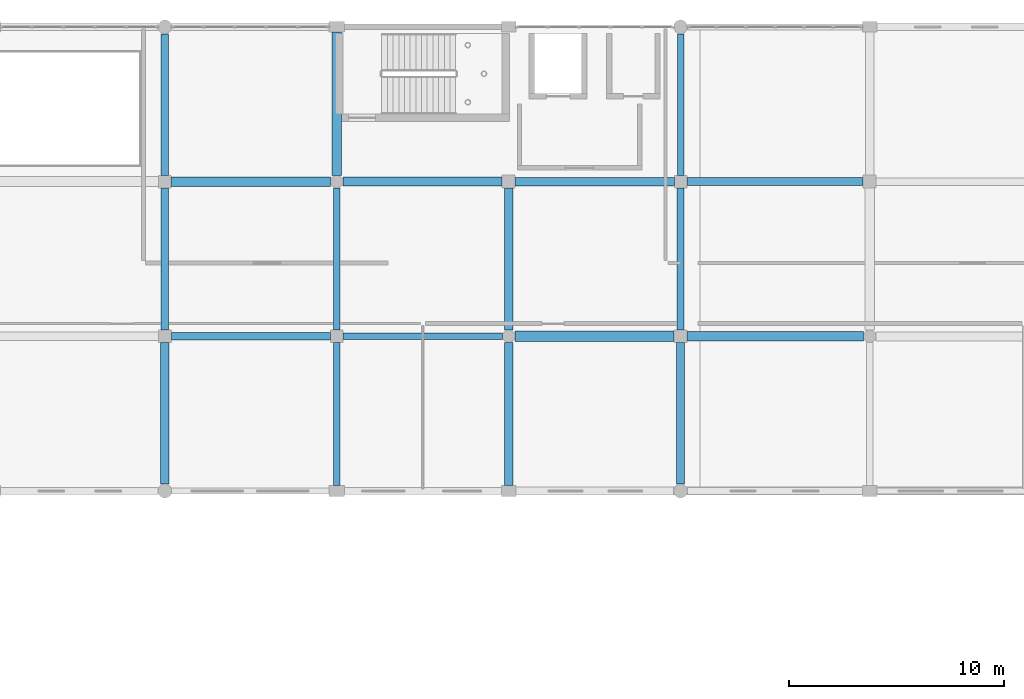
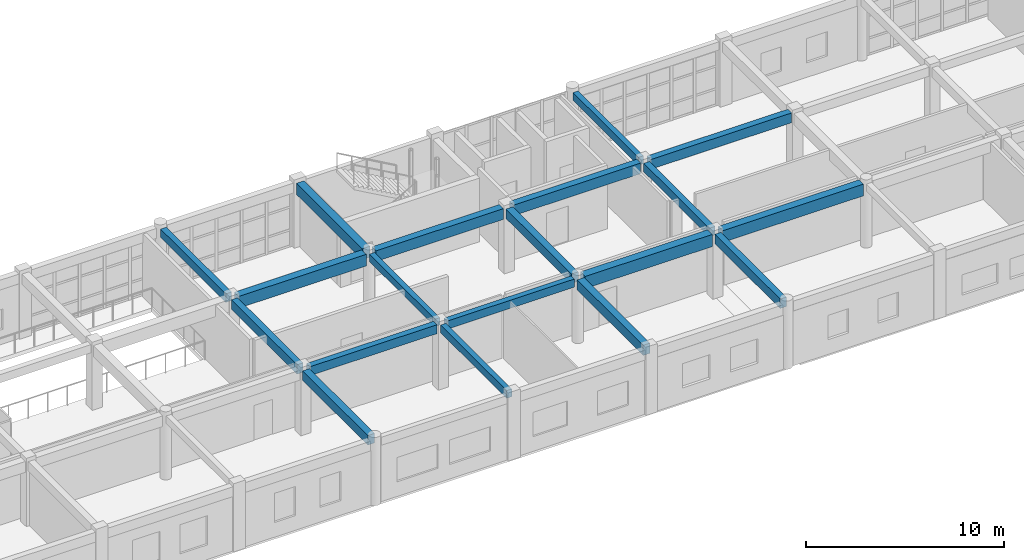
# One storey, part 13 of 53: 19 beams.
"""IFC4 building model written with IfcOpenShell, lengths in metres."""

from ifc_helpers import new_model, si_unit, direction, frame, origin, origin_2d, place, context, subcontext, project, spatial, rectangle, extrude, material, material_profile, profile_set, type_object, element, save


model = new_model("IFC4")

# Units and contexts
model_context = context("Model", 3, precision=1e-05, world=origin(), true_north=direction((0.0, 1.0)))
body_context = subcontext(model_context, "Body", "Model", "MODEL_VIEW")
ifc_project = project(units=[si_unit("LENGTHUNIT", "METRE"), si_unit("AREAUNIT", "SQUARE_METRE"), si_unit("VOLUMEUNIT", "CUBIC_METRE"), si_unit("PLANEANGLEUNIT", "RADIAN"), si_unit("MASSUNIT", "GRAM", prefix="KILO")], contexts=[model_context])

# Site, building, storey
site_placement = place(None, origin())
site = spatial("IfcSite", under=ifc_project, at=site_placement, CompositionType="ELEMENT")
building_placement = place(site_placement, origin())
building = spatial("IfcBuilding", under=site, at=building_placement, Name="Kharva Crest Polytechnic", CompositionType="ELEMENT")
storey_placement = place(building_placement, frame((0.0, 0.0, 17.39990234375)))
storey = spatial("IfcBuildingStorey", under=building, at=storey_placement, Name="L04", CompositionType="ELEMENT", Elevation=17.39990234375)

# Beams
ifc_material = material(Name="Concrete C35/45", Category="concrete")
ifc_material_profile_1 = material_profile(ifc_material, rectangle(XDim=0.300048828125, YDim=0.449951171875, at=origin_2d()), Name="RECT 300 X 450")
ifc_profile_set_1 = profile_set([ifc_material_profile_1], Name="Concrete C35/45")
beam_type_1 = type_object("IfcBeamType", Name="BM-RC-300X450", PredefinedType="BEAM", material=ifc_profile_set_1)
beam_1_placement = place(storey_placement, frame((104.0, 107.889892578125, 3.7451171875), z_axis=(0.0, 1.0, 0.0), x_axis=(-1.0, 0.0, 0.0)))
element("IfcBeam", 1, at=beam_1_placement, inside=storey, type_object=beam_type_1, Name="L04 Girder 14/Q-R", PredefinedType="BEAM", context=body_context, shape_type="SweptSolid", body=[
    extrude(rectangle(XDim=0.300048828125, YDim=0.449951171875, at=origin_2d()), origin(), (0.0, 0.0, 1.0), 6.6201171875),
])
ifc_material_profile_2 = material_profile(ifc_material, rectangle(XDim=0.300048828125, YDim=0.47998046875, at=origin_2d()), Name="RECT 300 X 480")
ifc_profile_set_2 = profile_set([ifc_material_profile_2], Name="Concrete C35/45")
beam_type_2 = type_object("IfcBeamType", Name="BM-RC-300X480", PredefinedType="BEAM", material=ifc_profile_set_2)
beam_2_placement = place(storey_placement, frame((104.0, 100.64990234375, 3.72998046875), z_axis=(0.0, 1.0, 0.0), x_axis=(-1.0, 0.0, 0.0)))
element("IfcBeam", 2, at=beam_2_placement, inside=storey, type_object=beam_type_2, Name="L04 Girder 14/P-Q", PredefinedType="BEAM", context=body_context, shape_type="SweptSolid", body=[
    extrude(rectangle(XDim=0.300048828125, YDim=0.47998046875, at=origin_2d()), origin(), (0.0, 0.0, 1.0), 6.66015625),
])
beam_3_placement = place(storey_placement, frame((120.0, 115.090087890625, 3.72998046875), z_axis=(0.0, 1.0, 0.0), x_axis=(-1.0, 0.0, 0.0)))
element("IfcBeam", 3, at=beam_3_placement, inside=storey, type_object=beam_type_2, Name="L04 Girder 16/R-S", PredefinedType="BEAM", context=body_context, shape_type="SweptSolid", body=[
    extrude(rectangle(XDim=0.300048828125, YDim=0.47998046875, at=origin_2d()), origin(), (0.0, 0.0, 1.0), 6.58984375),
])
ifc_material_profile_3 = material_profile(ifc_material, rectangle(XDim=0.320068359375, YDim=0.5, at=origin_2d()), Name="RECT 320 X 500")
ifc_profile_set_3 = profile_set([ifc_material_profile_3], Name="Concrete C35/45")
beam_type_3 = type_object("IfcBeamType", Name="BM-RC-320X500", PredefinedType="BEAM", material=ifc_profile_set_3)
beam_4_placement = place(storey_placement, frame((104.2900390625, 107.60009765625, 3.72021484375), z_axis=(1.0, 0.0, 0.0), x_axis=(0.0, 1.0, 0.0)))
element("IfcBeam", 4, at=beam_4_placement, inside=storey, type_object=beam_type_3, Name="L04 Beam Q/14-15", PredefinedType="BEAM", context=body_context, shape_type="SweptSolid", body=[
    extrude(rectangle(XDim=0.320068359375, YDim=0.5, at=origin_2d()), origin(), (0.0, 0.0, 1.0), 7.419921875),
])
ifc_material_profile_4 = material_profile(ifc_material, rectangle(XDim=0.340087890625, YDim=0.52001953125, at=origin_2d()), Name="RECT 340 X 520")
ifc_profile_set_4 = profile_set([ifc_material_profile_4], Name="Concrete C35/45")
beam_type_4 = type_object("IfcBeamType", Name="BM-RC-340X520", PredefinedType="BEAM", material=ifc_profile_set_4)
beam_5_placement = place(storey_placement, frame((96.0, 115.090087890625, 3.710205078125), z_axis=(0.0, 1.0, 0.0), x_axis=(-1.0, 0.0, 0.0)))
element("IfcBeam", 5, at=beam_5_placement, inside=storey, type_object=beam_type_4, Name="L04 Girder 13/R-S", PredefinedType="BEAM", context=body_context, shape_type="SweptSolid", body=[
    extrude(rectangle(XDim=0.340087890625, YDim=0.52001953125, at=origin_2d()), origin(), (0.0, 0.0, 1.0), 6.58984375),
])
beam_6_placement = place(storey_placement, frame((120.0, 107.89990234375, 3.710205078125), z_axis=(0.0, 1.0, 0.0), x_axis=(-1.0, 0.0, 0.0)))
element("IfcBeam", 6, at=beam_6_placement, inside=storey, type_object=beam_type_4, Name="L04 Girder 16/Q-R", PredefinedType="BEAM", context=body_context, shape_type="SweptSolid", body=[
    extrude(rectangle(XDim=0.340087890625, YDim=0.52001953125, at=origin_2d()), origin(), (0.0, 0.0, 1.0), 6.610107421875),
])
ifc_material_profile_5 = material_profile(ifc_material, rectangle(XDim=0.35009765625, YDim=0.550048828125, at=origin_2d()), Name="RECT 350 X 550")
ifc_profile_set_5 = profile_set([ifc_material_profile_5], Name="Concrete C35/45")
beam_type_5 = type_object("IfcBeamType", Name="BM-RC-350X550", PredefinedType="BEAM", material=ifc_profile_set_5)
beam_7_placement = place(storey_placement, frame((96.300048828125, 107.60009765625, 3.695068359375), z_axis=(1.0, 0.0, 0.0), x_axis=(0.0, 1.0, 0.0)))
element("IfcBeam", 7, at=beam_7_placement, inside=storey, type_object=beam_type_5, Name="L04 Beam Q/13-14", PredefinedType="BEAM", context=body_context, shape_type="SweptSolid", body=[
    extrude(rectangle(XDim=0.35009765625, YDim=0.550048828125, at=origin_2d()), origin(), (0.0, 0.0, 1.0), 7.409912109375),
])
ifc_material_profile_6 = material_profile(ifc_material, rectangle(XDim=0.360107421875, YDim=0.580078125, at=origin_2d()), Name="RECT 360 X 580")
ifc_profile_set_6 = profile_set([ifc_material_profile_6], Name="Concrete C35/45")
beam_type_6 = type_object("IfcBeamType", Name="BM-RC-360X580", PredefinedType="BEAM", material=ifc_profile_set_6)
beam_8_placement = place(storey_placement, frame((96.0, 107.89990234375, 3.68017578125), z_axis=(0.0, 1.0, 0.0), x_axis=(-1.0, 0.0, 0.0)))
element("IfcBeam", 8, at=beam_8_placement, inside=storey, type_object=beam_type_6, Name="L04 Girder 13/Q-R", PredefinedType="BEAM", context=body_context, shape_type="SweptSolid", body=[
    extrude(rectangle(XDim=0.360107421875, YDim=0.580078125, at=origin_2d()), origin(), (0.0, 0.0, 1.0), 6.610107421875),
])
beam_9_placement = place(storey_placement, frame((120.0, 100.719970703125, 3.68017578125), z_axis=(0.0, 1.0, 0.0), x_axis=(-1.0, 0.0, 0.0)))
element("IfcBeam", 9, at=beam_9_placement, inside=storey, type_object=beam_type_6, Name="L04 Girder 16/P-Q", PredefinedType="BEAM", context=body_context, shape_type="SweptSolid", body=[
    extrude(rectangle(XDim=0.360107421875, YDim=0.580078125, at=origin_2d()), origin(), (0.0, 0.0, 1.0), 6.580078125),
])
ifc_material_profile_7 = material_profile(ifc_material, rectangle(XDim=0.3798828125, YDim=0.60009765625, at=origin_2d()), Name="RECT 380 X 600")
ifc_profile_set_7 = profile_set([ifc_material_profile_7], Name="Concrete C35/45")
beam_type_7 = type_object("IfcBeamType", Name="BM-RC-380X600", PredefinedType="BEAM", material=ifc_profile_set_7)
beam_10_placement = place(storey_placement, frame((120.2900390625, 114.800048828125, 3.670166015625), z_axis=(1.0, 0.0, 0.0), x_axis=(0.0, 1.0, 0.0)))
element("IfcBeam", 10, at=beam_10_placement, inside=storey, type_object=beam_type_7, Name="L04 Beam R/16-17", PredefinedType="BEAM", context=body_context, shape_type="SweptSolid", body=[
    extrude(rectangle(XDim=0.3798828125, YDim=0.60009765625, at=origin_2d()), origin(), (0.0, 0.0, 1.0), 8.2099609375),
])
ifc_material_profile_8 = material_profile(ifc_material, rectangle(XDim=0.39990234375, YDim=0.580078125, at=origin_2d()), Name="RECT 400 X 580")
ifc_profile_set_8 = profile_set([ifc_material_profile_8], Name="Concrete C35/45")
beam_type_8 = type_object("IfcBeamType", Name="BM-RC-400X580", PredefinedType="BEAM", material=ifc_profile_set_8)
beam_11_placement = place(storey_placement, frame((96.0, 100.719970703125, 3.68017578125), z_axis=(0.0, 1.0, 0.0), x_axis=(-1.0, 0.0, 0.0)))
element("IfcBeam", 11, at=beam_11_placement, inside=storey, type_object=beam_type_8, Name="L04 Girder 13/P-Q", PredefinedType="BEAM", context=body_context, shape_type="SweptSolid", body=[
    extrude(rectangle(XDim=0.39990234375, YDim=0.580078125, at=origin_2d()), origin(), (0.0, 0.0, 1.0), 6.580078125),
])
beam_12_placement = place(storey_placement, frame((112.0, 107.889892578125, 3.68017578125), z_axis=(0.0, 1.0, 0.0), x_axis=(-1.0, 0.0, 0.0)))
element("IfcBeam", 12, at=beam_12_placement, inside=storey, type_object=beam_type_8, Name="L04 Girder 15/Q-R", PredefinedType="BEAM", context=body_context, shape_type="SweptSolid", body=[
    extrude(rectangle(XDim=0.39990234375, YDim=0.580078125, at=origin_2d()), origin(), (0.0, 0.0, 1.0), 6.610107421875),
])
ifc_material_profile_9 = material_profile(ifc_material, rectangle(XDim=0.39990234375, YDim=0.6201171875, at=origin_2d()), Name="RECT 400 X 620")
ifc_profile_set_9 = profile_set([ifc_material_profile_9], Name="Concrete C35/45")
beam_type_9 = type_object("IfcBeamType", Name="BM-RC-400X620", PredefinedType="BEAM", material=ifc_profile_set_9)
beam_13_placement = place(storey_placement, frame((112.0, 100.64990234375, 3.66015625), z_axis=(0.0, 1.0, 0.0), x_axis=(-1.0, 0.0, 0.0)))
element("IfcBeam", 13, at=beam_13_placement, inside=storey, type_object=beam_type_9, Name="L04 Girder 15/P-Q", PredefinedType="BEAM", context=body_context, shape_type="SweptSolid", body=[
    extrude(rectangle(XDim=0.39990234375, YDim=0.6201171875, at=origin_2d()), origin(), (0.0, 0.0, 1.0), 6.66015625),
])
ifc_material_profile_10 = material_profile(ifc_material, rectangle(XDim=0.39990234375, YDim=0.64990234375, at=origin_2d()), Name="RECT 400 X 650")
ifc_profile_set_10 = profile_set([ifc_material_profile_10], Name="Concrete C35/45")
beam_type_10 = type_object("IfcBeamType", Name="BM-RC-400X650", PredefinedType="BEAM", material=ifc_profile_set_10)
beam_14_placement = place(storey_placement, frame((112.300048828125, 114.800048828125, 3.64501953125), z_axis=(1.0, 0.0, 0.0), x_axis=(0.0, 1.0, 0.0)))
element("IfcBeam", 14, at=beam_14_placement, inside=storey, type_object=beam_type_10, Name="L04 Beam R/15-16", PredefinedType="BEAM", context=body_context, shape_type="SweptSolid", body=[
    extrude(rectangle(XDim=0.39990234375, YDim=0.64990234375, at=origin_2d()), origin(), (0.0, 0.0, 1.0), 7.409912109375),
])
ifc_material_profile_11 = material_profile(ifc_material, rectangle(XDim=0.419921875, YDim=0.659912109375, at=origin_2d()), Name="RECT 420 X 660")
ifc_profile_set_11 = profile_set([ifc_material_profile_11], Name="Concrete C35/45")
beam_type_11 = type_object("IfcBeamType", Name="BM-RC-420X660", PredefinedType="BEAM", material=ifc_profile_set_11)
beam_15_placement = place(storey_placement, frame((104.2900390625, 114.800048828125, 3.64013671875), z_axis=(1.0, 0.0, 0.0), x_axis=(0.0, 1.0, 0.0)))
element("IfcBeam", 15, at=beam_15_placement, inside=storey, type_object=beam_type_11, Name="L04 Beam R/14-15", PredefinedType="BEAM", context=body_context, shape_type="SweptSolid", body=[
    extrude(rectangle(XDim=0.419921875, YDim=0.659912109375, at=origin_2d()), origin(), (0.0, 0.0, 1.0), 7.409912109375),
])
ifc_material_profile_12 = material_profile(ifc_material, rectangle(XDim=0.449951171875, YDim=0.679931640625, at=origin_2d()), Name="RECT 450 X 680")
ifc_profile_set_12 = profile_set([ifc_material_profile_12], Name="Concrete C35/45")
beam_type_12 = type_object("IfcBeamType", Name="BM-RC-450X680", PredefinedType="BEAM", material=ifc_profile_set_12)
beam_16_placement = place(storey_placement, frame((104.0, 115.090087890625, 3.630126953125), z_axis=(0.0, 1.0, 0.0), x_axis=(-1.0, 0.0, 0.0)))
element("IfcBeam", 16, at=beam_16_placement, inside=storey, type_object=beam_type_12, Name="L04 Girder 14/R-S", PredefinedType="BEAM", context=body_context, shape_type="SweptSolid", body=[
    extrude(rectangle(XDim=0.449951171875, YDim=0.679931640625, at=origin_2d()), origin(), (0.0, 0.0, 1.0), 6.659912109375),
])
ifc_material_profile_13 = material_profile(ifc_material, rectangle(XDim=0.449951171875, YDim=0.719970703125, at=origin_2d()), Name="RECT 450 X 720")
ifc_profile_set_13 = profile_set([ifc_material_profile_13], Name="Concrete C35/45")
beam_type_13 = type_object("IfcBeamType", Name="BM-RC-450X720", PredefinedType="BEAM", material=ifc_profile_set_13)
beam_17_placement = place(storey_placement, frame((120.300048828125, 107.60009765625, 3.610107421875), z_axis=(1.0, 0.0, 0.0), x_axis=(0.0, 1.0, 0.0)))
element("IfcBeam", 17, at=beam_17_placement, inside=storey, type_object=beam_type_13, Name="L04 Beam Q/16-17", PredefinedType="BEAM", context=body_context, shape_type="SweptSolid", body=[
    extrude(rectangle(XDim=0.449951171875, YDim=0.719970703125, at=origin_2d()), origin(), (0.0, 0.0, 1.0), 8.2099609375),
])
beam_18_placement = place(storey_placement, frame((96.2900390625, 114.800048828125, 3.610107421875), z_axis=(1.0, 0.0, 0.0), x_axis=(0.0, 1.0, 0.0)))
element("IfcBeam", 18, at=beam_18_placement, inside=storey, type_object=beam_type_13, Name="L04 Beam R/13-14", PredefinedType="BEAM", context=body_context, shape_type="SweptSolid", body=[
    extrude(rectangle(XDim=0.449951171875, YDim=0.719970703125, at=origin_2d()), origin(), (0.0, 0.0, 1.0), 7.419921875),
])
ifc_material_profile_14 = material_profile(ifc_material, rectangle(XDim=0.47998046875, YDim=0.75, at=origin_2d()), Name="RECT 480 X 750")
ifc_profile_set_14 = profile_set([ifc_material_profile_14], Name="Concrete C35/45")
beam_type_14 = type_object("IfcBeamType", Name="BM-RC-480X750", PredefinedType="BEAM", material=ifc_profile_set_14)
beam_19_placement = place(storey_placement, frame((112.2900390625, 107.60009765625, 3.59521484375), z_axis=(1.0, 0.0, 0.0), x_axis=(0.0, 1.0, 0.0)))
element("IfcBeam", 19, at=beam_19_placement, inside=storey, type_object=beam_type_14, Name="L04 Beam Q/15-16", PredefinedType="BEAM", context=body_context, shape_type="SweptSolid", body=[
    extrude(rectangle(XDim=0.47998046875, YDim=0.75, at=origin_2d()), origin(), (0.0, 0.0, 1.0), 7.409912109375),
])

save(model, "model.ifc")
